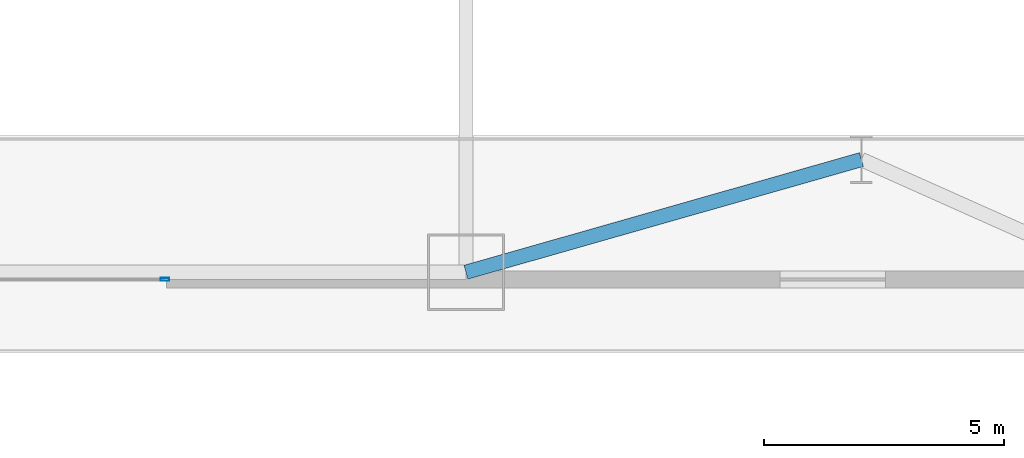
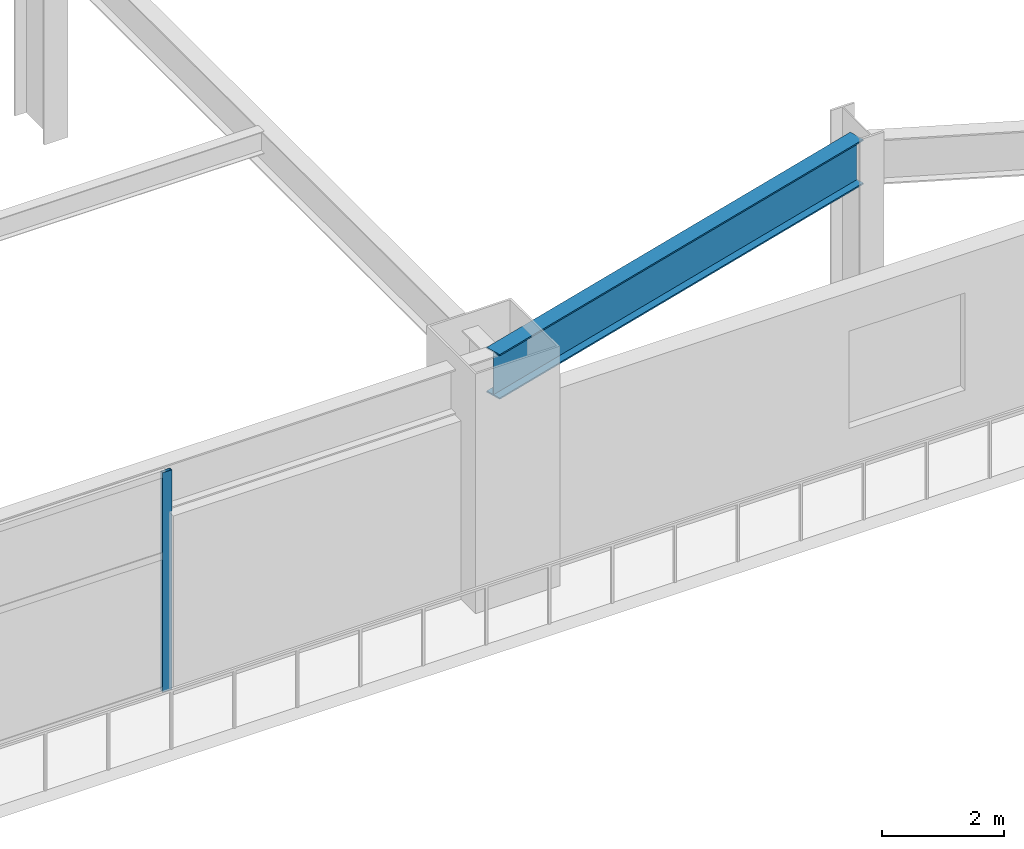
# One storey, part 6 of 28: 1 beam, 1 member, 1 element without a shape of its own.
"""IFC4 building model written with IfcOpenShell, lengths in metres."""

import ifcopenshell
import ifcopenshell.guid

model = None  # the IFC model being written
_history = None  # IfcOwnerHistory: only IFC2X3 demands one
_inside = {}  # id of a spatial element -> (the spatial element, [elements in it])
_under = {}  # id of a project, library or spatial element -> (it, [spatial elements below it])
_declared = {}  # id of a project -> (the project, [libraries it declares])
_typed = {}  # id of a type object -> (the type object, [elements of that type])
_made_of = {}  # id of a material, layer set ... -> (it, [elements and type objects made of it])


def new_model(schema):
    """Start an empty IFC model of exactly this schema.

    Asked for "IFC4X3", IfcOpenShell would pick the latest addendum, in which some entities
    have other attributes; the version numbers below select the first issue.
    IFC2X3 requires an IfcOwnerHistory on every rooted entity: one is made here for all.
    """
    global model, _history
    if schema == "IFC4X3":
        model = ifcopenshell.file(schema_version=(4, 3, 0, 0))
    else:
        model = ifcopenshell.file(schema=schema)
    _inside.clear()
    _under.clear()
    _declared.clear()
    _typed.clear()
    _made_of.clear()
    _history = None
    if model.schema == "IFC2X3":
        org = make("IfcOrganization", Name="unknown")
        user = make(
            "IfcPersonAndOrganization",
            ThePerson=make("IfcPerson", FamilyName="unknown"),
            TheOrganization=org,
        )
        app = make(
            "IfcApplication",
            ApplicationDeveloper=org,
            Version="unknown",
            ApplicationFullName="unknown",
            ApplicationIdentifier="unknown",
        )
        _history = make(
            "IfcOwnerHistory",
            OwningUser=user,
            OwningApplication=app,
            ChangeAction="ADDED",
            CreationDate=0,
        )
    return model


def make(cls, **values):
    """One entity of the class cls with the attributes given. An attribute that is None is left unset."""
    return model.create_entity(
        cls, **{name: value for name, value in values.items() if value is not None}
    )


def rooted(cls, **values):
    """An entity with a GlobalId (a new one), such as an element, a storey or a relation."""
    return make(cls, GlobalId=ifcopenshell.guid.new(), OwnerHistory=_history, **values)


def si_unit(unit_type, name, prefix=None):
    """IfcSIUnit, for example si_unit("LENGTHUNIT", "METRE", prefix="MILLI")."""
    return make("IfcSIUnit", UnitType=unit_type, Prefix=prefix, Name=name)


def assignment(units):
    """IfcUnitAssignment: the units of a project."""
    return None if units is None else make("IfcUnitAssignment", Units=units)


def point(xyz):
    """IfcCartesianPoint."""
    return None if xyz is None else make("IfcCartesianPoint", Coordinates=xyz)


def direction(xyz):
    """IfcDirection."""
    return None if xyz is None else make("IfcDirection", DirectionRatios=xyz)


def frame(location, z_axis=None, x_axis=None):
    """IfcAxis2Placement3D, a coordinate frame: its origin and axes. An axis left out is left unset."""
    return make(
        "IfcAxis2Placement3D",
        Location=point(location),
        Axis=direction(z_axis),
        RefDirection=direction(x_axis),
    )


def frame_2d(location, x_axis=None):
    """IfcAxis2Placement2D, a coordinate frame in the plane: its origin and x axis."""
    return make(
        "IfcAxis2Placement2D", Location=point(location), RefDirection=direction(x_axis)
    )


def origin():
    """The frame at (0, 0, 0) with its axes left unset."""
    return frame((0.0, 0.0, 0.0))


def origin_2d():
    """The frame at (0, 0) in the plane with its x axis left unset."""
    return frame_2d((0.0, 0.0))


def place(relative_to, where):
    """IfcLocalPlacement: puts the frame where relative to a parent placement (None: the world)."""
    return make(
        "IfcLocalPlacement", PlacementRelTo=relative_to, RelativePlacement=where
    )


def context(
    kind, dimensions, precision=None, world=None, true_north=None, identifier=None
):
    """IfcGeometricRepresentationContext, for example the 3D "Model" context."""
    return make(
        "IfcGeometricRepresentationContext",
        ContextIdentifier=identifier,
        ContextType=kind,
        CoordinateSpaceDimension=dimensions,
        Precision=precision,
        WorldCoordinateSystem=world,
        TrueNorth=true_north,
    )


def subcontext(parent, identifier, kind, view, scale=None):
    """IfcGeometricRepresentationSubContext, for example "Body" below "Model"."""
    return make(
        "IfcGeometricRepresentationSubContext",
        ContextIdentifier=identifier,
        ContextType=kind,
        ParentContext=parent,
        TargetScale=scale,
        TargetView=view,
    )


def project(units=None, contexts=None):
    """IfcProject with its units and contexts."""
    return rooted(
        "IfcProject",
        Name="project",
        RepresentationContexts=contexts,
        UnitsInContext=assignment(units),
    )


def spatial(cls, under=None, at=None, **own):
    """A site, building, storey or space (cls), placed at a placement, below another one or the project."""
    s = rooted(cls, ObjectPlacement=at, **own)
    if under is not None:
        _under.setdefault(under.id(), (under, []))[1].append(s)
    return s


def profile(cls, at=None, kind="AREA", **sizes):
    """A parametric profile (cls). Its sizes go by their IFC names, for example OverallWidth=200.0."""
    return make(cls, ProfileType=kind, Position=at, **sizes)


def hollow_rectangle(**sizes):
    """IfcRectangleHollowProfileDef."""
    return profile("IfcRectangleHollowProfileDef", **sizes)


def i_section(**sizes):
    """IfcIShapeProfileDef."""
    return profile("IfcIShapeProfileDef", **sizes)


def extrude(swept, where, along, depth):
    """IfcExtrudedAreaSolid: the profile swept, set in the frame where, extruded along a direction by depth."""
    return make(
        "IfcExtrudedAreaSolid",
        SweptArea=swept,
        Position=where,
        ExtrudedDirection=direction(along),
        Depth=depth,
    )


def shape(context_of_items, identifier, shape_type, items):
    """IfcShapeRepresentation: the items that make up one representation, for example the "Body"."""
    return make(
        "IfcShapeRepresentation",
        ContextOfItems=context_of_items,
        RepresentationIdentifier=identifier,
        RepresentationType=shape_type,
        Items=items,
    )


def material(Name=None, Category=None):
    """IfcMaterial."""
    return make("IfcMaterial", Name=Name, Category=Category)


def layer(
    of_material, thickness, ventilated=None, Name=None, Category=None, Priority=None
):
    """IfcMaterialLayer: one layer of a wall or slab, of a material (None: an air gap)."""
    return make(
        "IfcMaterialLayer",
        Material=of_material,
        LayerThickness=thickness,
        IsVentilated=ventilated,
        Name=Name,
        Category=Category,
        Priority=Priority,
    )


def layer_set(layers, Name=None):
    """IfcMaterialLayerSet."""
    return make("IfcMaterialLayerSet", MaterialLayers=layers, LayerSetName=Name)


def material_profile(
    of_material, cross_section, Name=None, Category=None, Priority=None
):
    """IfcMaterialProfile: a cross section and its material."""
    return make(
        "IfcMaterialProfile",
        Name=Name,
        Material=of_material,
        Profile=cross_section,
        Priority=Priority,
        Category=Category,
    )


def profile_set(profiles, Name=None, composite=None):
    """IfcMaterialProfileSet."""
    return make(
        "IfcMaterialProfileSet",
        Name=Name,
        MaterialProfiles=profiles,
        CompositeProfile=composite,
    )


def made_of(thing, what):
    """Note that an element or type object is made of a material, layer set ...; save() writes the relation."""
    if what is not None:
        _made_of.setdefault(what.id(), (what, []))[1].append(thing)
    return thing


def type_object(cls, material=None, **own):
    """A type object (cls), such as IfcWallType, which elements share."""
    return made_of(rooted(cls, **own), material)


def element(
    cls,
    number,
    at=None,
    inside=None,
    cuts=None,
    type_object=None,
    material=None,
    context=None,
    identifier="Body",
    shape_type=None,
    held_by="IfcProductDefinitionShape",
    body=None,
    shapes=None,
    **own,
):
    """One element of the class cls, such as IfcWall. Its Tag is "e" and its number.

    at: its placement. inside: the storey or other place that contains it. cuts: it is an
    opening in that element (IfcRelVoidsElement). A single representation is given by context,
    identifier, shape_type and body (its items); several are given by shapes. held_by: the class
    of the entity that holds the representations. save() writes the other relations.
    """
    e = rooted(cls, Tag="e%d" % number, ObjectPlacement=at, **own)
    if body is not None:
        shapes = [shape(context, identifier, shape_type, body)]
    if shapes is not None:
        e.Representation = make(held_by, Representations=shapes)
    if inside is not None:
        _inside.setdefault(inside.id(), (inside, []))[1].append(e)
    if cuts is not None:
        rooted(
            "IfcRelVoidsElement", RelatingBuildingElement=cuts, RelatedOpeningElement=e
        )
    if type_object is not None:
        _typed.setdefault(type_object.id(), (type_object, []))[1].append(e)
    return made_of(e, material)


def aggregate(whole, parts):
    """IfcRelAggregates: a whole, such as a stair, and the parts it consists of."""
    return rooted("IfcRelAggregates", RelatingObject=whole, RelatedObjects=parts)


def save(model, path):
    """Write the relations noted so far, then the file.

    IfcRelAggregates (storeys below a building ...), IfcRelContainedInSpatialStructure (elements
    in a storey), IfcRelDefinesByType, IfcRelAssociatesMaterial and IfcRelDeclares: one each for
    every whole, place, type object, material and project.
    """
    for whole, parts in _under.values():
        aggregate(whole, parts)
    for where, things in _inside.values():
        rooted(
            "IfcRelContainedInSpatialStructure",
            RelatedElements=things,
            RelatingStructure=where,
        )
    for kind, things in _typed.values():
        rooted("IfcRelDefinesByType", RelatedObjects=things, RelatingType=kind)
    for what, things in _made_of.values():
        rooted("IfcRelAssociatesMaterial", RelatedObjects=things, RelatingMaterial=what)
    for by, libraries in _declared.values():
        rooted("IfcRelDeclares", RelatingContext=by, RelatedDefinitions=libraries)
    model.write(path)


model = new_model("IFC4")

# Units and contexts
model_context = context("Model", 3, precision=1e-05, world=origin(), true_north=direction((0.0, 1.0)))
body_context = subcontext(model_context, "Body", "Model", "MODEL_VIEW")
ifc_project = project(units=[si_unit("LENGTHUNIT", "METRE"), si_unit("AREAUNIT", "SQUARE_METRE"), si_unit("VOLUMEUNIT", "CUBIC_METRE"), si_unit("PLANEANGLEUNIT", "RADIAN"), si_unit("MASSUNIT", "GRAM", prefix="KILO")], contexts=[model_context])

# Site, building, storey
site_placement = place(None, origin())
site = spatial("IfcSite", under=ifc_project, at=site_placement, CompositionType="ELEMENT")
building_placement = place(site_placement, origin())
building = spatial("IfcBuilding", under=site, at=building_placement, Name="Haevon Station Towers", CompositionType="ELEMENT")
storey_placement = place(building_placement, frame((0.0, 0.0, 10.800048828125)))
storey = spatial("IfcBuildingStorey", under=building, at=storey_placement, Name="L02", CompositionType="ELEMENT", Elevation=10.800048828125)

# Beam
ifc_material_1 = material(Name="Steel S355", Category="steel")
ifc_material_profile_1 = material_profile(ifc_material_1, i_section(OverallWidth=0.300048828125, OverallDepth=0.89990234375, WebThickness=0.01611328125, FlangeThickness=0.028076171875, at=origin_2d()), Name="H-900x300x16x28")
ifc_profile_set_1 = profile_set([ifc_material_profile_1], Name="Steel S355")
beam_type = type_object("IfcBeamType", Name="BM-PG900", PredefinedType="BEAM", material=ifc_profile_set_1)
beam_placement = place(storey_placement, frame((64.75, 15.14990234375, 4.050048828125), z_axis=(0.961740592782, 0.273961734911, 0.0), x_axis=(-0.273961734911, 0.961740592782, 0.0)))
element("IfcBeam", 1, at=beam_placement, inside=storey, type_object=beam_type, Name="BM-PODLKS1-L02", PredefinedType="BEAM", context=body_context, shape_type="SweptSolid", body=[
    extrude(i_section(OverallWidth=0.300048828125, OverallDepth=0.89990234375, WebThickness=0.01611328125, FlangeThickness=0.028076171875, at=origin_2d()), origin(), (0.0, 0.0, 1.0), 8.578125),
])

# Curtain wall, member
ifc_material_2 = material(Name="Anodised aluminium and Low-E double glazing", Category="aluminium")
ifc_layer = layer(ifc_material_2, 0.179931640625)
ifc_layer_set = layer_set([ifc_layer], Name="Anodised aluminium and Low-E double glazing")
curtain_wall_type = type_object("IfcCurtainWallType", Name="CW-SYS1", PredefinedType="NOTDEFINED", material=ifc_layer_set)
curtain_wall_placement = place(storey_placement, origin())
curtain_wall = element("IfcCurtainWall", 2, at=curtain_wall_placement, inside=storey, type_object=curtain_wall_type, Name="L02 Curtain Wall CW-POD-L02-S2", PredefinedType="NOTDEFINED")
ifc_material_3 = material(Name="Anodised aluminium 6063-T6", Category="aluminium")
ifc_material_profile_2 = material_profile(ifc_material_3, hollow_rectangle(XDim=0.06494140625, YDim=0.179931640625, WallThickness=0.00390625, at=origin_2d()), Name="CWM-180x65x4")
ifc_profile_set_2 = profile_set([ifc_material_profile_2], Name="Anodised aluminium 6063-T6")
member_type = type_object("IfcMemberType", Name="CWM-180", PredefinedType="MULLION", material=ifc_profile_set_2)
member_placement = place(storey_placement, frame((58.467529296875, 15.0, 0.0), z_axis=(0.0, 0.0, 1.0), x_axis=(0.0, -1.0, 0.0)))
member = element("IfcMember", 3, at=member_placement, type_object=member_type, Name="CW-SYS1 mullion 1", PredefinedType="MULLION", context=body_context, shape_type="SweptSolid", body=[
    extrude(hollow_rectangle(XDim=0.06494140625, YDim=0.179931640625, WallThickness=0.00390625, at=origin_2d()), origin(), (0.0, 0.0, 1.0), 4.39990234375),
])
aggregate(curtain_wall, [member])

save(model, "model.ifc")
